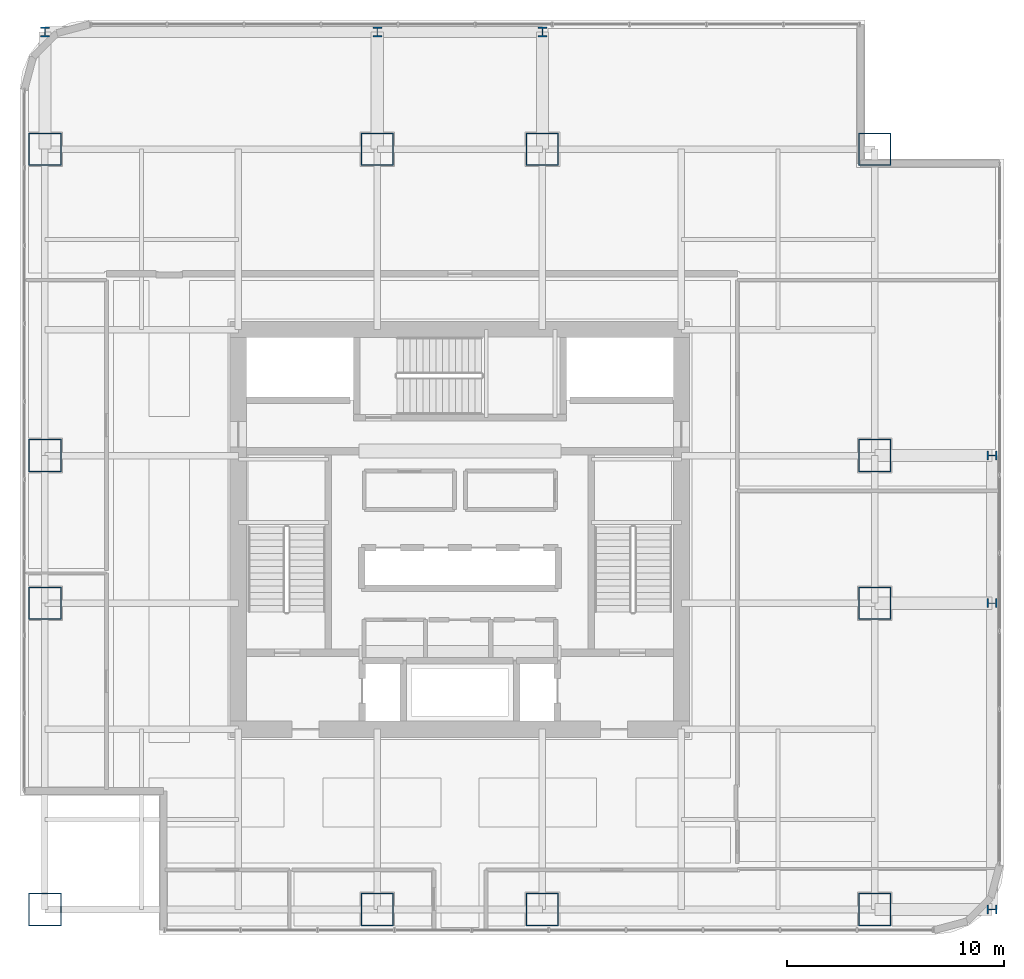
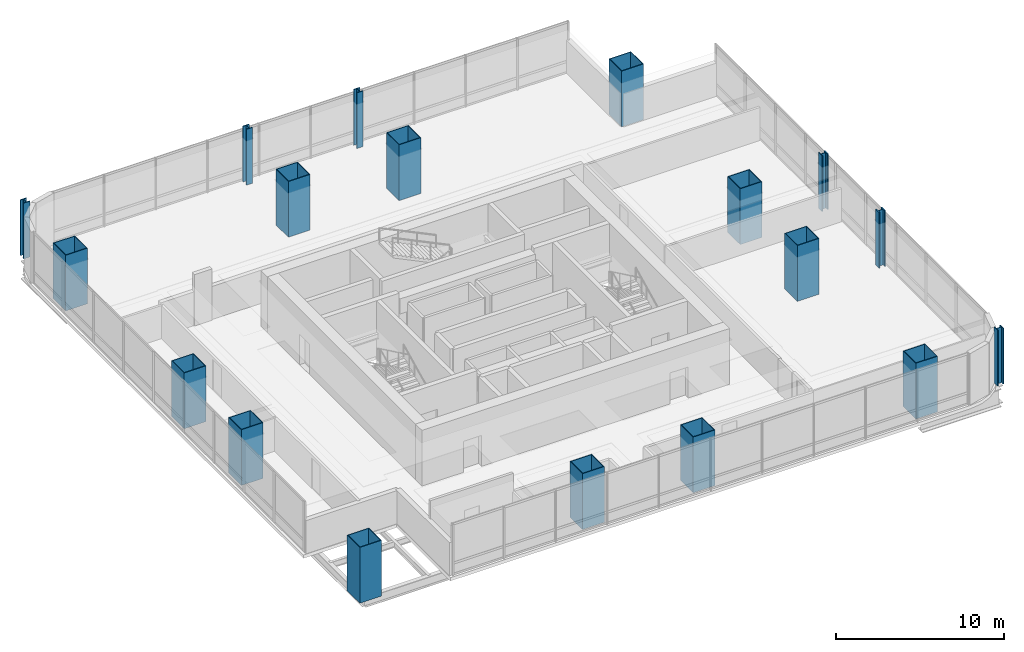
# One storey, part 1 of 33: 18 columns.
"""IFC4 building model written with IfcOpenShell, lengths in metres."""

from ifc_helpers import new_model, si_unit, direction, frame, origin, origin_2d, place, context, subcontext, project, spatial, hollow_rectangle, i_section, extrude, material, material_profile, profile_set, type_object, element, save


model = new_model("IFC4")

# Units and contexts
model_context = context("Model", 3, precision=1e-05, world=origin(), true_north=direction((0.0, 1.0)))
body_context = subcontext(model_context, "Body", "Model", "MODEL_VIEW")
ifc_project = project(units=[si_unit("LENGTHUNIT", "METRE"), si_unit("AREAUNIT", "SQUARE_METRE"), si_unit("VOLUMEUNIT", "CUBIC_METRE"), si_unit("PLANEANGLEUNIT", "RADIAN"), si_unit("MASSUNIT", "GRAM", prefix="KILO")], contexts=[model_context])

# Site, building, storey
site_placement = place(None, origin())
site = spatial("IfcSite", under=ifc_project, at=site_placement, CompositionType="ELEMENT")
building_placement = place(site_placement, origin())
building = spatial("IfcBuilding", under=site, at=building_placement, Name="Punatoya Terracotta Tower", CompositionType="ELEMENT")
storey_placement = place(building_placement, frame((0.0, 0.0, 121.35009765625)))
storey = spatial("IfcBuildingStorey", under=building, at=storey_placement, Name="L28", CompositionType="ELEMENT", Elevation=121.35009765625)

# Columns
ifc_material = material(Name="Steel S460", Category="steel")
ifc_material_profile_1 = material_profile(ifc_material, i_section(OverallWidth=0.416015625, OverallDepth=0.446044921875, WebThickness=0.0390625, FlangeThickness=0.06201171875, FilletRadius=0.01806640625, at=origin_2d()))
ifc_profile_set_1 = profile_set([ifc_material_profile_1], Name="Steel S460")
column_type_1 = type_object("IfcColumnType", Name="COL-EX-M1", PredefinedType="COLUMN", material=ifc_profile_set_1)
for number, where, z_axis, x_axis, name in (
    (1, (-19.10009765625, 22.89990234375, 0.0), (0.0, 0.0, 1.0), (1.0, 0.0, 0.0), "L28 Exoskeleton Perimeter Column N1"),
    (2, (-3.800048828125, 22.89990234375, 0.0), (0.0, 0.0, 1.0), (1.0, 0.0, 0.0), "L28 Exoskeleton Perimeter Column N2"),
    (3, (3.800048828125, 22.89990234375, 0.0), (0.0, 0.0, 1.0), (1.0, 0.0, 0.0), "L28 Exoskeleton Perimeter Column N3"),
    (4, (24.5, -17.5, 0.0), (0.0, 0.0, 1.0), (0.0, 1.0, 0.0), "L28 Exoskeleton Perimeter Column E1"),
    (5, (24.5, -3.39990234375, 0.0), (0.0, 0.0, 1.0), (0.0, 1.0, 0.0), "L28 Exoskeleton Perimeter Column E2"),
    (6, (24.5, 3.39990234375, 0.0), (0.0, 0.0, 1.0), (0.0, 1.0, 0.0), "L28 Exoskeleton Perimeter Column E3"),
):
    element("IfcColumn", number, at=place(storey_placement, frame(where, z_axis=z_axis, x_axis=x_axis)), inside=storey, type_object=column_type_1, Name=name, PredefinedType="COLUMN", context=body_context, shape_type="SweptSolid", body=[
        extrude(i_section(OverallWidth=0.416015625, OverallDepth=0.446044921875, WebThickness=0.0390625, FlangeThickness=0.06201171875, FilletRadius=0.01806640625, at=origin_2d()), origin(), (0.0, 0.0, 1.0), 4.0478515625),
    ])
ifc_material_profile_2 = material_profile(ifc_material, hollow_rectangle(XDim=1.5, YDim=1.5, WallThickness=0.044921875, at=origin_2d()))
ifc_profile_set_2 = profile_set([ifc_material_profile_2], Name="Steel S460")
column_type_2 = type_object("IfcColumnType", Name="COL-MC-Z1", PredefinedType="COLUMN", material=ifc_profile_set_2)
for number, where, z_axis, x_axis, name in (
    (7, (-19.10009765625, -17.5, 0.0), (0.0, 0.0, 1.0), (1.0, 0.0, 0.0), "L28 Composite Mega-Column MC-01 (3-B)"),
    (8, (-3.800048828125, -17.5, 0.0), (0.0, 0.0, 1.0), (1.0, 0.0, 0.0), "L28 Composite Mega-Column MC-02 (5-B)"),
    (9, (3.800048828125, -17.5, 0.0), (0.0, 0.0, 1.0), (1.0, 0.0, 0.0), "L28 Composite Mega-Column MC-03 (7-B)"),
    (10, (19.10009765625, -17.5, 0.0), (0.0, 0.0, 1.0), (1.0, 0.0, 0.0), "L28 Composite Mega-Column MC-04 (9-B)"),
    (11, (19.10009765625, -3.39990234375, 0.0), (0.0, 0.0, 1.0), (1.0, 0.0, 0.0), "L28 Composite Mega-Column MC-05 (9-D)"),
    (12, (19.10009765625, 3.39990234375, 0.0), (0.0, 0.0, 1.0), (1.0, 0.0, 0.0), "L28 Composite Mega-Column MC-06 (9-E)"),
    (13, (19.10009765625, 17.5, 0.0), (0.0, 0.0, 1.0), (1.0, 0.0, 0.0), "L28 Composite Mega-Column MC-07 (9-G)"),
    (14, (3.800048828125, 17.5, 0.0), (0.0, 0.0, 1.0), (1.0, 0.0, 0.0), "L28 Composite Mega-Column MC-08 (7-G)"),
    (15, (-3.800048828125, 17.5, 0.0), (0.0, 0.0, 1.0), (1.0, 0.0, 0.0), "L28 Composite Mega-Column MC-09 (5-G)"),
    (16, (-19.10009765625, 17.5, 0.0), (0.0, 0.0, 1.0), (1.0, 0.0, 0.0), "L28 Composite Mega-Column MC-10 (3-G)"),
    (17, (-19.10009765625, 3.39990234375, 0.0), (0.0, 0.0, 1.0), (1.0, 0.0, 0.0), "L28 Composite Mega-Column MC-11 (3-E)"),
    (18, (-19.10009765625, -3.39990234375, 0.0), (0.0, 0.0, 1.0), (1.0, 0.0, 0.0), "L28 Composite Mega-Column MC-12 (3-D)"),
):
    element("IfcColumn", number, at=place(storey_placement, frame(where, z_axis=z_axis, x_axis=x_axis)), inside=storey, type_object=column_type_2, Name=name, PredefinedType="COLUMN", context=body_context, shape_type="SweptSolid", body=[
        extrude(hollow_rectangle(XDim=1.5, YDim=1.5, WallThickness=0.044921875, at=origin_2d()), origin(), (0.0, 0.0, 1.0), 4.0498046875),
    ])

save(model, "model.ifc")
